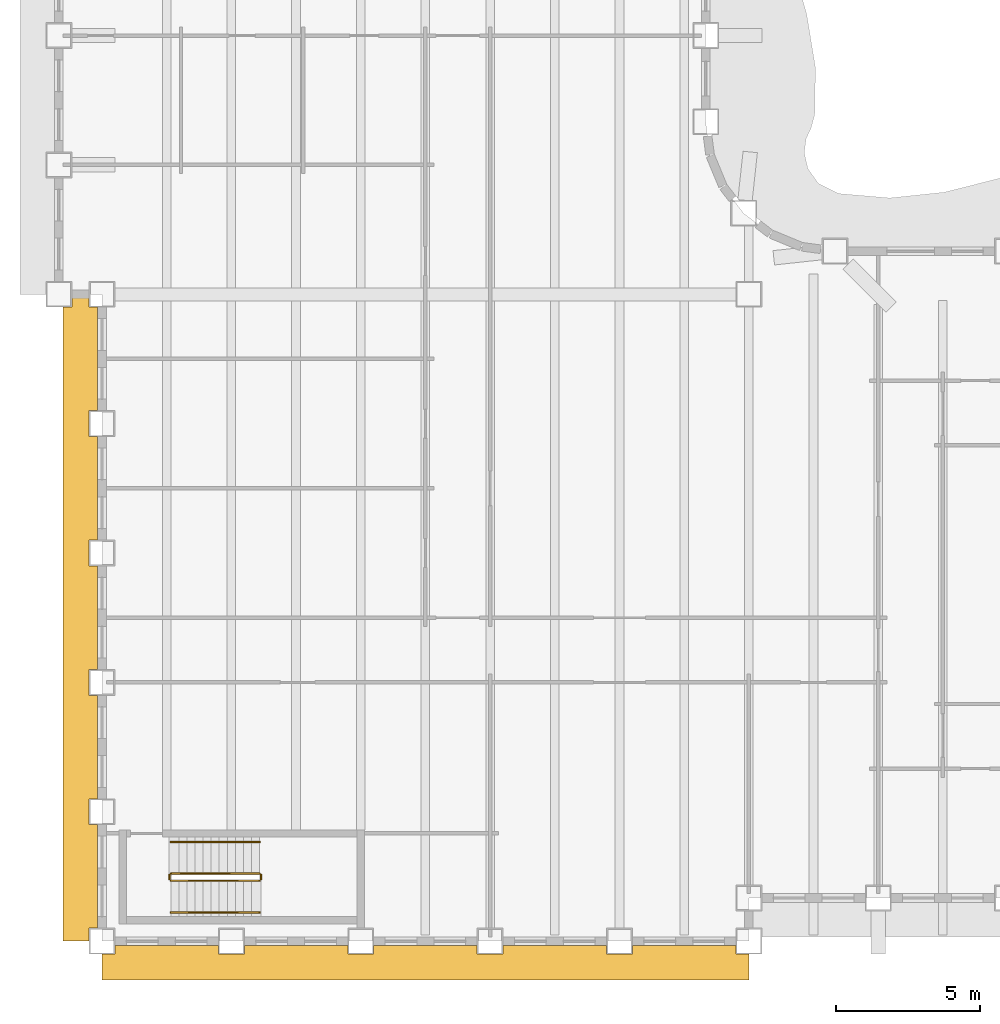
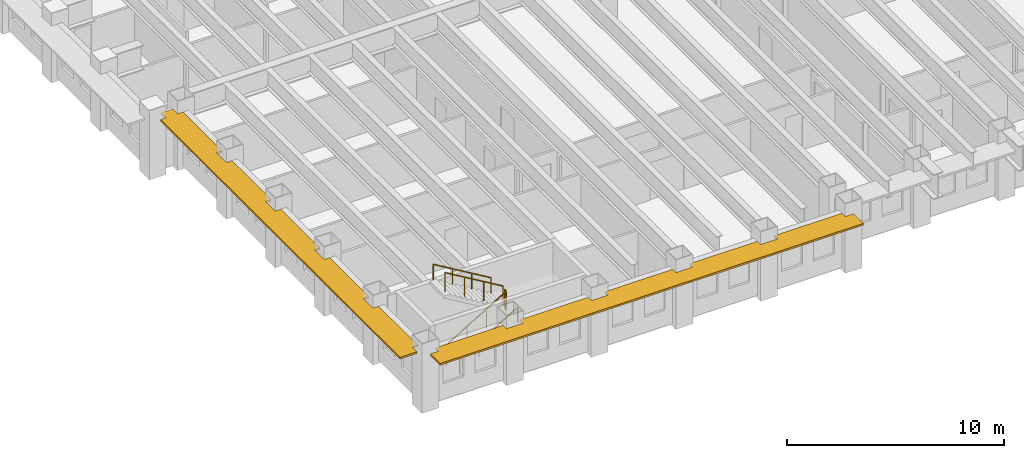
# One storey, part 11 of 16: 6 railings, 2 shading devices.
"""IFC4 building model written with IfcOpenShell, lengths in metres."""

from ifc_helpers import new_model, si_unit, direction, frame, origin, origin_2d, place, context, subcontext, project, spatial, polyline, rectangle, outline, extrude, material, layer, layer_set, type_object, element, save


model = new_model("IFC4")

# Units and contexts
model_context = context("Model", 3, precision=1e-05, world=origin(), true_north=direction((0.0, 1.0)))
body_context = subcontext(model_context, "Body", "Model", "MODEL_VIEW")
ifc_project = project(units=[si_unit("LENGTHUNIT", "METRE"), si_unit("AREAUNIT", "SQUARE_METRE"), si_unit("VOLUMEUNIT", "CUBIC_METRE"), si_unit("PLANEANGLEUNIT", "RADIAN"), si_unit("MASSUNIT", "GRAM", prefix="KILO")], contexts=[model_context])

# Site, building, storey
site_placement = place(None, origin())
site = spatial("IfcSite", under=ifc_project, at=site_placement, CompositionType="ELEMENT")
building_placement = place(site_placement, origin())
building = spatial("IfcBuilding", under=site, at=building_placement, Name="Sennacour Bend Tower", CompositionType="ELEMENT")
storey_placement = place(building_placement, frame((0.0, 0.0, 183.0)))
storey = spatial("IfcBuildingStorey", under=building, at=storey_placement, Name="L42", CompositionType="ELEMENT", Elevation=183.0)

# Railings
ifc_material_1 = material(Name="Stainless steel", Category="steel")
railing_type_1 = type_object("IfcRailingType", Name="RL-GUARD-1100", PredefinedType="GUARDRAIL", material=ifc_material_1)
railing_1_placement = place(storey_placement, frame((2.39990234375, 2.10009765625, 0.166748046875)))
element("IfcRailing", 1, at=railing_1_placement, inside=storey, type_object=railing_type_1, Name="L42 SK1 stair guard 1", PredefinedType="GUARDRAIL", context=body_context, shape_type="SweptSolid", body=[
    extrude(rectangle(XDim=0.048095703125, YDim=0.048095703125, at=origin_2d()), frame((0.0, 0.0, 1.076171875), z_axis=(0.859308565015, 0.0, 0.511457515432), x_axis=(0.0, 1.0, 0.0)), (0.0, 0.0, 1.0), 3.58447265625),
    extrude(rectangle(XDim=0.0419921875, YDim=0.0419921875, at=origin_2d()), origin(), (0.0, 0.0, 1.0), 1.052001953125),
    extrude(rectangle(XDim=0.0419921875, YDim=0.0419921875, at=origin_2d()), frame((1.026611328125, 0.0, 0.611083984375)), (0.0, 0.0, 1.0), 1.052001953125),
    extrude(rectangle(XDim=0.0419921875, YDim=0.0419921875, at=origin_2d()), frame((2.053466796875, 0.0, 1.22216796875)), (0.0, 0.0, 1.0), 1.052001953125),
    extrude(rectangle(XDim=0.0419921875, YDim=0.0419921875, at=origin_2d()), frame((3.080078125, 0.0, 1.833251953125)), (0.0, 0.0, 1.0), 1.052001953125),
])
railing_2_placement = place(storey_placement, frame((5.530029296875, 2.14990234375, 2.0)))
element("IfcRailing", 2, at=railing_2_placement, inside=storey, type_object=railing_type_1, Name="L42 SK1 stair guard 2", PredefinedType="GUARDRAIL", context=body_context, shape_type="SweptSolid", body=[
    extrude(rectangle(XDim=0.048095703125, YDim=0.048095703125, at=origin_2d()), frame((0.0, 0.0, 1.076171875), z_axis=(0.0, 1.0, 0.0), x_axis=(-1.0, 0.0, 0.0)), (0.0, 0.0, 1.0), 0.150146484375),
    extrude(rectangle(XDim=0.0419921875, YDim=0.0419921875, at=origin_2d()), origin(), (0.0, 0.0, 1.0), 1.052001953125),
    extrude(rectangle(XDim=0.0419921875, YDim=0.0419921875, at=origin_2d()), frame((0.0, 0.150146484375, 0.0)), (0.0, 0.0, 1.0), 1.052001953125),
])
railing_3_placement = place(storey_placement, frame((5.47998046875, 2.35009765625, 2.166748046875)))
element("IfcRailing", 3, at=railing_3_placement, inside=storey, type_object=railing_type_1, Name="L42 SK1 stair guard 3", PredefinedType="GUARDRAIL", context=body_context, shape_type="SweptSolid", body=[
    extrude(rectangle(XDim=0.048095703125, YDim=0.048095703125, at=origin_2d()), frame((0.0, 0.0, 1.076171875), z_axis=(-0.859308565015, 0.0, 0.511457515432), x_axis=(0.0, -1.0, 0.0)), (0.0, 0.0, 1.0), 3.58447265625),
    extrude(rectangle(XDim=0.0419921875, YDim=0.0419921875, at=origin_2d()), origin(), (0.0, 0.0, 1.0), 1.052001953125),
    extrude(rectangle(XDim=0.0419921875, YDim=0.0419921875, at=origin_2d()), frame((-1.026611328125, 0.0, 0.611083984375)), (0.0, 0.0, 1.0), 1.052001953125),
    extrude(rectangle(XDim=0.0419921875, YDim=0.0419921875, at=origin_2d()), frame((-2.053466796875, 0.0, 1.22216796875)), (0.0, 0.0, 1.0), 1.052001953125),
    extrude(rectangle(XDim=0.0419921875, YDim=0.0419921875, at=origin_2d()), frame((-3.080078125, 0.0, 1.833251953125)), (0.0, 0.0, 1.0), 1.052001953125),
])
railing_4_placement = place(storey_placement, frame((2.35009765625, 2.14990234375, 0.0)))
element("IfcRailing", 4, at=railing_4_placement, inside=storey, type_object=railing_type_1, Name="L42 SK1 stair guard 4", PredefinedType="GUARDRAIL", context=body_context, shape_type="SweptSolid", body=[
    extrude(rectangle(XDim=0.048095703125, YDim=0.048095703125, at=origin_2d()), frame((0.0, 0.0, 1.076171875), z_axis=(0.0, 1.0, 0.0), x_axis=(-1.0, 0.0, 0.0)), (0.0, 0.0, 1.0), 0.150146484375),
    extrude(rectangle(XDim=0.0419921875, YDim=0.0419921875, at=origin_2d()), origin(), (0.0, 0.0, 1.0), 1.052001953125),
    extrude(rectangle(XDim=0.0419921875, YDim=0.0419921875, at=origin_2d()), frame((0.0, 0.150146484375, 0.0)), (0.0, 0.0, 1.0), 1.052001953125),
])
railing_type_2 = type_object("IfcRailingType", Name="RL-HANDRAIL-900", PredefinedType="HANDRAIL", material=ifc_material_1)
railing_5_placement = place(storey_placement, frame((2.39990234375, 1.0, 0.166748046875)))
element("IfcRailing", 5, at=railing_5_placement, inside=storey, type_object=railing_type_2, Name="L42 SK1 stair handrail 1", PredefinedType="HANDRAIL", context=body_context, shape_type="SweptSolid", body=[
    extrude(rectangle(XDim=0.048095703125, YDim=0.048095703125, at=origin_2d()), frame((0.0, 0.0, 0.8759765625), z_axis=(0.859308565015, 0.0, 0.511457515432), x_axis=(0.0, 1.0, 0.0)), (0.0, 0.0, 1.0), 3.58447265625),
    extrude(rectangle(XDim=0.0419921875, YDim=0.0419921875, at=origin_2d()), origin(), (0.0, 0.0, 1.0), 0.851806640625),
    extrude(rectangle(XDim=0.0419921875, YDim=0.0419921875, at=origin_2d()), frame((1.026611328125, 0.0, 0.611083984375)), (0.0, 0.0, 1.0), 0.851806640625),
    extrude(rectangle(XDim=0.0419921875, YDim=0.0419921875, at=origin_2d()), frame((2.053466796875, 0.0, 1.22216796875)), (0.0, 0.0, 1.0), 0.851806640625),
    extrude(rectangle(XDim=0.0419921875, YDim=0.0419921875, at=origin_2d()), frame((3.080078125, 0.0, 1.833251953125)), (0.0, 0.0, 1.0), 0.851806640625),
])
railing_6_placement = place(storey_placement, frame((5.47998046875, 3.449951171875, 2.166748046875)))
element("IfcRailing", 6, at=railing_6_placement, inside=storey, type_object=railing_type_2, Name="L42 SK1 stair handrail 2", PredefinedType="HANDRAIL", context=body_context, shape_type="SweptSolid", body=[
    extrude(rectangle(XDim=0.048095703125, YDim=0.048095703125, at=origin_2d()), frame((0.0, 0.0, 0.8759765625), z_axis=(-0.859308565015, 0.0, 0.511457515432), x_axis=(0.0, -1.0, 0.0)), (0.0, 0.0, 1.0), 3.58447265625),
    extrude(rectangle(XDim=0.0419921875, YDim=0.0419921875, at=origin_2d()), origin(), (0.0, 0.0, 1.0), 0.851806640625),
    extrude(rectangle(XDim=0.0419921875, YDim=0.0419921875, at=origin_2d()), frame((-1.026611328125, 0.0, 0.611083984375)), (0.0, 0.0, 1.0), 0.851806640625),
    extrude(rectangle(XDim=0.0419921875, YDim=0.0419921875, at=origin_2d()), frame((-2.053466796875, 0.0, 1.22216796875)), (0.0, 0.0, 1.0), 0.851806640625),
    extrude(rectangle(XDim=0.0419921875, YDim=0.0419921875, at=origin_2d()), frame((-3.080078125, 0.0, 1.833251953125)), (0.0, 0.0, 1.0), 0.851806640625),
])

# Shading devices
ifc_material_2 = material(Name="Bronze anodised aluminium", Category="aluminium")
ifc_layer = layer(ifc_material_2, 0.10009765625, Name="Bronze anodised aluminium", Category="aluminium")
ifc_layer_set = layer_set([ifc_layer], Name="Bronze anodised aluminium")
shading_device_type = type_object("IfcShadingDeviceType", Name="SUNSHADE BAND STRAIGHT", PredefinedType="USERDEFINED", material=ifc_layer_set)
shading_device_1_placement = place(storey_placement, frame((0.0, 0.0, 2.948974609375)))
element("IfcShadingDevice", 7, at=shading_device_1_placement, inside=storey, type_object=shading_device_type, Name="Sunshade band L42 K outer face", ObjectType="SUNSHADE", PredefinedType="USERDEFINED", context=body_context, shape_type="SweptSolid", body=[
    extrude(outline(polyline([(4.050048828125, -0.14990234375), (4.050048828125, -0.449951171875), (4.949951171875, -0.449951171875), (4.949951171875, -0.14990234375), (8.550048828125, -0.14990234375), (8.550048828125, -0.449951171875), (9.449951171875, -0.449951171875), (9.449951171875, -0.14990234375), (13.050048828125, -0.14990234375), (13.050048828125, -0.449951171875), (13.949951171875, -0.449951171875), (13.949951171875, -0.14990234375), (17.550048828125, -0.14990234375), (17.550048828125, -0.449951171875), (18.449951171875, -0.449951171875), (18.449951171875, -0.14990234375), (22.050048828125, -0.14990234375), (22.050048828125, -0.449951171875), (22.5, -0.449951171875), (22.5, -1.35009765625), (0.0, -1.35009765625), (0.0, -0.449951171875), (0.449951171875, -0.449951171875), (0.449951171875, -0.14990234375), (4.050048828125, -0.14990234375)])), origin(), (0.0, 0.0, 1.0), 0.10009765625),
])
shading_device_2_placement = place(storey_placement, frame((0.0, 0.0, 2.948974609375)))
element("IfcShadingDevice", 8, at=shading_device_2_placement, inside=storey, type_object=shading_device_type, Name="Sunshade band L42 K outer face", ObjectType="SUNSHADE", PredefinedType="USERDEFINED", context=body_context, shape_type="SweptSolid", body=[
    extrude(outline(polyline([(-0.14990234375, 18.449951171875), (-0.449951171875, 18.449951171875), (-0.449951171875, 17.550048828125), (-0.14990234375, 17.550048828125), (-0.14990234375, 13.949951171875), (-0.449951171875, 13.949951171875), (-0.449951171875, 13.050048828125), (-0.14990234375, 13.050048828125), (-0.14990234375, 9.449951171875), (-0.449951171875, 9.449951171875), (-0.449951171875, 8.550048828125), (-0.14990234375, 8.550048828125), (-0.14990234375, 4.949951171875), (-0.449951171875, 4.949951171875), (-0.449951171875, 4.050048828125), (-0.14990234375, 4.050048828125), (-0.14990234375, 0.449951171875), (-0.449951171875, 0.449951171875), (-0.449951171875, 0.0), (-1.35009765625, 0.0), (-1.35009765625, 22.050048828125), (-1.050048828125, 22.050048828125), (-1.050048828125, 22.5), (-0.449951171875, 22.5), (-0.449951171875, 22.050048828125), (-0.14990234375, 22.050048828125), (-0.14990234375, 18.449951171875)])), origin(), (0.0, 0.0, 1.0), 0.10009765625),
])

save(model, "model.ifc")
